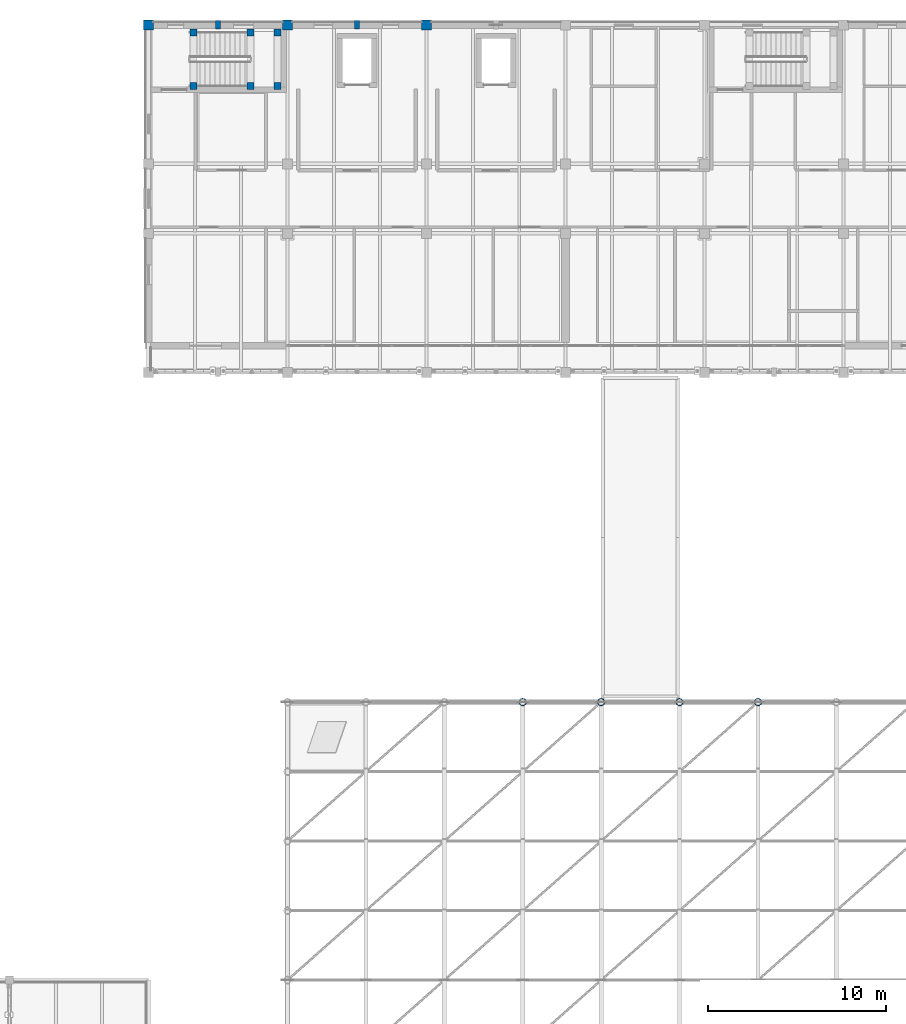
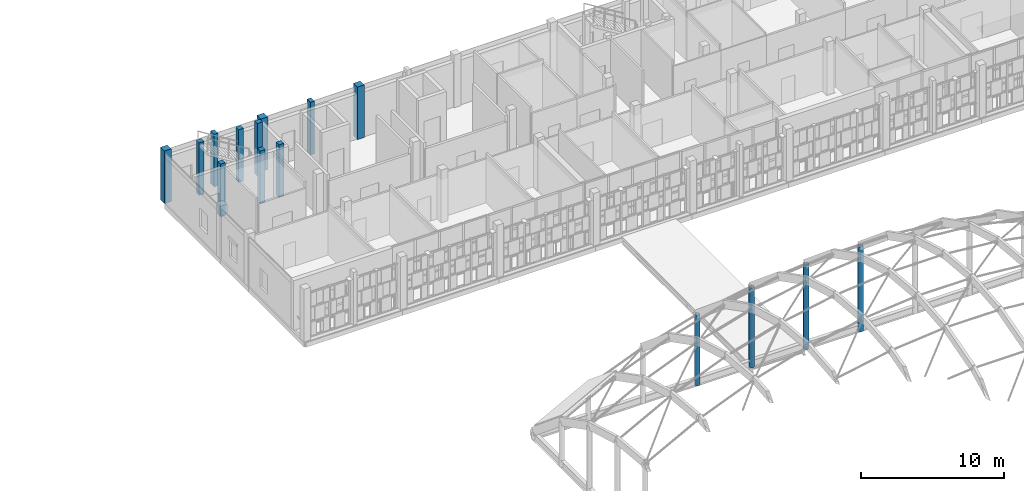
# One storey, part 8 of 119: 15 columns.
"""IFC4 building model written with IfcOpenShell, lengths in metres."""

from ifc_helpers import new_model, si_unit, direction, frame, origin, origin_2d, place, context, subcontext, project, spatial, rectangle, hollow_circle, extrude, material, material_profile, profile_set, type_object, element, save


model = new_model("IFC4")

# Units and contexts
model_context = context("Model", 3, precision=1e-05, world=origin(), true_north=direction((0.0, 1.0)))
body_context = subcontext(model_context, "Body", "Model", "MODEL_VIEW")
ifc_project = project(units=[si_unit("LENGTHUNIT", "METRE"), si_unit("AREAUNIT", "SQUARE_METRE"), si_unit("VOLUMEUNIT", "CUBIC_METRE"), si_unit("PLANEANGLEUNIT", "RADIAN"), si_unit("MASSUNIT", "GRAM", prefix="KILO")], contexts=[model_context])

# Site, building, storey
site_placement = place(None, origin())
site = spatial("IfcSite", under=ifc_project, at=site_placement, CompositionType="ELEMENT")
building_placement = place(site_placement, origin())
building = spatial("IfcBuilding", under=site, at=building_placement, Name="Celorna Specialist Clinic", CompositionType="ELEMENT")
storey_placement = place(building_placement, frame((0.0, 0.0, 9.60009765625)))
storey = spatial("IfcBuildingStorey", under=building, at=storey_placement, Name="L02", CompositionType="ELEMENT", Elevation=9.60009765625)

# Columns
ifc_material_1 = material(Name="Concrete C35/45", Category="concrete")
ifc_material_profile_1 = material_profile(ifc_material_1, rectangle(XDim=0.550048828125, YDim=0.550048828125, at=origin_2d()), Name="RC 550x550")
ifc_profile_set_1 = profile_set([ifc_material_profile_1], Name="Concrete C35/45")
column_type_1 = type_object("IfcColumnType", Name="CT-05", PredefinedType="COLUMN", material=ifc_profile_set_1)
for number, where, z_axis, x_axis, name in (
    (1, (46.800048828125, 116.0, 0.0), (0.0, 0.0, 1.0), (1.0, 0.0, 0.0), "Column CT-05 L02 X07/YU"),
    (2, (54.60009765625, 116.0, 0.0), (0.0, 0.0, 1.0), (1.0, 0.0, 0.0), "Column CT-05 L02 X08/YU"),
    (3, (62.39990234375, 116.0, 0.0), (0.0, 0.0, 1.0), (1.0, 0.0, 0.0), "Column CT-05 L02 X09/YU"),
):
    element("IfcColumn", number, at=place(storey_placement, frame(where, z_axis=z_axis, x_axis=x_axis)), inside=storey, type_object=column_type_1, Name=name, PredefinedType="COLUMN", context=body_context, shape_type="SweptSolid", body=[
        extrude(rectangle(XDim=0.550048828125, YDim=0.550048828125, at=origin_2d()), origin(), (0.0, 0.0, 1.0), 4.5),
    ])
ifc_material_profile_2 = material_profile(ifc_material_1, rectangle(XDim=0.39990234375, YDim=0.39990234375, at=origin_2d()), Name="RC 400x400")
ifc_profile_set_2 = profile_set([ifc_material_profile_2], Name="Concrete C35/45")
column_type_2 = type_object("IfcColumnType", Name="CT-08", PredefinedType="COLUMN", material=ifc_profile_set_2)
for number, where, z_axis, x_axis, name in (
    (4, (49.320068359375, 112.570068359375, 0.0), (0.0, 0.0, 1.0), (1.0, 0.0, 0.0), "Stair ST-01 landing column CT-08 L02 X07/YU"),
    (5, (49.320068359375, 115.570068359375, 0.0), (0.0, 0.0, 1.0), (1.0, 0.0, 0.0), "Stair ST-01 landing column CT-08 L02 X07/YU"),
    (6, (52.52001953125, 112.570068359375, 0.0), (0.0, 0.0, 1.0), (1.0, 0.0, 0.0), "Stair ST-01 landing column CT-08 L02 X08/YU"),
    (7, (52.52001953125, 115.570068359375, 0.0), (0.0, 0.0, 1.0), (1.0, 0.0, 0.0), "Stair ST-01 landing column CT-08 L02 X08/YU"),
    (8, (54.0400390625, 112.570068359375, 0.0), (0.0, 0.0, 1.0), (1.0, 0.0, 0.0), "Stair ST-01 landing column CT-08 L02 X08/YU"),
    (9, (54.0400390625, 115.570068359375, 0.0), (0.0, 0.0, 1.0), (1.0, 0.0, 0.0), "Stair ST-01 landing column CT-08 L02 X08/YU"),
):
    element("IfcColumn", number, at=place(storey_placement, frame(where, z_axis=z_axis, x_axis=x_axis)), inside=storey, type_object=column_type_2, Name=name, PredefinedType="COLUMN", context=body_context, shape_type="SweptSolid", body=[
        extrude(rectangle(XDim=0.39990234375, YDim=0.39990234375, at=origin_2d()), origin(), (0.0, 0.0, 1.0), 4.5),
    ])
ifc_material_2 = material(Name="Steel S355", Category="steel")
ifc_material_profile_3 = material_profile(ifc_material_2, hollow_circle(Radius=0.203125, WallThickness=0.01611328125, at=origin_2d()), Name="CHS 406.4x16")
ifc_profile_set_3 = profile_set([ifc_material_profile_3], Name="Steel S355")
column_type_3 = type_object("IfcColumnType", Name="CT-12", PredefinedType="COLUMN", material=ifc_profile_set_3)
column_1_placement = place(storey_placement, frame((67.800048828125, 78.0, 0.0), z_axis=(0.0, 0.0, 1.0), x_axis=(1.0, 0.0, 0.0)))
element("IfcColumn", 10, at=column_1_placement, inside=storey, type_object=column_type_3, Name="Column CT-12 L02 X10/YP", PredefinedType="COLUMN", context=body_context, shape_type="SweptSolid", body=[
    extrude(hollow_circle(Radius=0.203125, WallThickness=0.01611328125, at=origin_2d()), origin(), (0.0, 0.0, 1.0), 5.991943359375),
])
column_2_placement = place(storey_placement, frame((72.199951171875, 78.0, 0.0), z_axis=(0.0, 0.0, 1.0), x_axis=(1.0, 0.0, 0.0)))
element("IfcColumn", 11, at=column_2_placement, inside=storey, type_object=column_type_3, Name="Column CT-12 L02 X10/YP", PredefinedType="COLUMN", context=body_context, shape_type="SweptSolid", body=[
    extrude(hollow_circle(Radius=0.203125, WallThickness=0.01611328125, at=origin_2d()), origin(), (0.0, 0.0, 1.0), 6.830078125),
])
for number, where, z_axis, x_axis, name in (
    (12, (76.60009765625, 78.0, 0.0), (0.0, 0.0, 1.0), (1.0, 0.0, 0.0), "Column CT-12 L02 X11/YP"),
    (13, (81.0, 78.0, 0.0), (0.0, 0.0, 1.0), (1.0, 0.0, 0.0), "Column CT-12 L02 X11/YP"),
):
    element("IfcColumn", number, at=place(storey_placement, frame(where, z_axis=z_axis, x_axis=x_axis)), inside=storey, type_object=column_type_3, Name=name, PredefinedType="COLUMN", context=body_context, shape_type="SweptSolid", body=[
        extrude(hollow_circle(Radius=0.203125, WallThickness=0.01611328125, at=origin_2d()), origin(), (0.0, 0.0, 1.0), 7.243408203125),
    ])
ifc_material_3 = material(Name="Precast concrete C40/50", Category="concrete")
ifc_material_profile_4 = material_profile(ifc_material_3, rectangle(XDim=0.300048828125, YDim=0.47998046875, at=origin_2d()), Name="PILASTER 300x480")
ifc_profile_set_4 = profile_set([ifc_material_profile_4], Name="Precast concrete C40/50")
column_type_4 = type_object("IfcColumnType", Name="CT-17", PredefinedType="PILASTER", material=ifc_profile_set_4)
for number, where, z_axis, x_axis, name in (
    (14, (50.699951171875, 116.0, 0.0), (0.0, 0.0, 1.0), (1.0, 0.0, 0.0), "Facade pilaster CT-17 L02 X08/YU"),
    (15, (58.5, 116.0, 0.0), (0.0, 0.0, 1.0), (1.0, 0.0, 0.0), "Facade pilaster CT-17 L02 X08/YU"),
):
    element("IfcColumn", number, at=place(storey_placement, frame(where, z_axis=z_axis, x_axis=x_axis)), inside=storey, type_object=column_type_4, Name=name, PredefinedType="PILASTER", context=body_context, shape_type="SweptSolid", body=[
        extrude(rectangle(XDim=0.300048828125, YDim=0.47998046875, at=origin_2d()), origin(), (0.0, 0.0, 1.0), 4.5),
    ])

save(model, "model.ifc")
